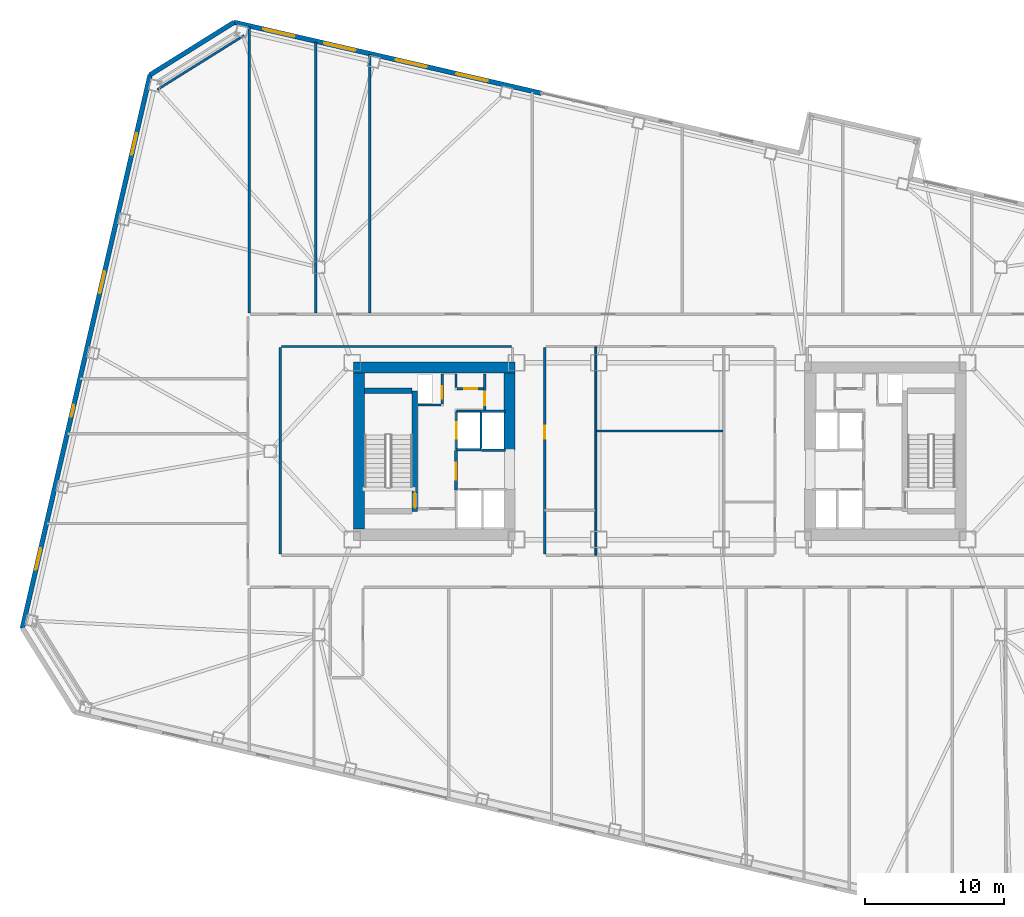
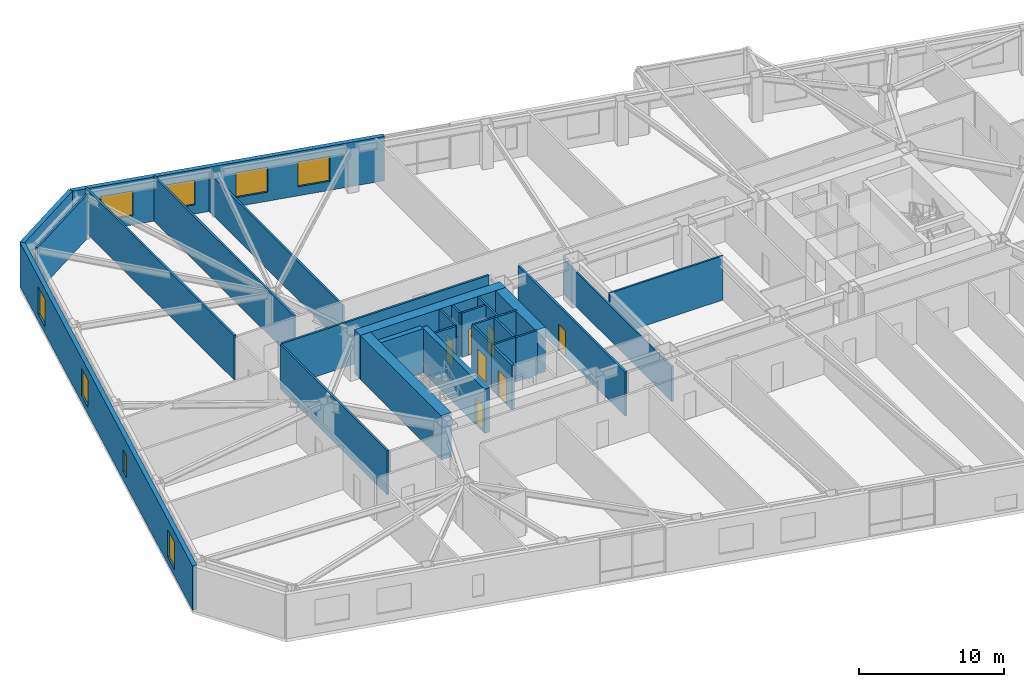
# One storey, part 13 of 21: 29 walls, 8 windows, 7 doors, 15 openings.
"""IFC4 building model written with IfcOpenShell, lengths in metres."""

from ifc_helpers import new_model, si_unit, direction, frame, frame_2d, origin, place, context, subcontext, project, spatial, rectangle, extrude, material, layer, layer_set, type_object, element, fill, save


model = new_model("IFC4")

# Units and contexts
model_context = context("Model", 3, precision=1e-05, world=origin(), true_north=direction((0.0, 1.0)))
body_context = subcontext(model_context, "Body", "Model", "MODEL_VIEW")
ifc_project = project(units=[si_unit("LENGTHUNIT", "METRE"), si_unit("AREAUNIT", "SQUARE_METRE"), si_unit("VOLUMEUNIT", "CUBIC_METRE"), si_unit("PLANEANGLEUNIT", "RADIAN"), si_unit("MASSUNIT", "GRAM", prefix="KILO")], contexts=[model_context])

# Site, building, storey
site_placement = place(None, origin())
site = spatial("IfcSite", under=ifc_project, at=site_placement, CompositionType="ELEMENT")
building_placement = place(site_placement, origin())
building = spatial("IfcBuilding", under=site, at=building_placement, Name="Tavrogorsk Clinical Tower", CompositionType="ELEMENT")
storey_placement = place(building_placement, frame((0.0, 0.0, 71.39990234375)))
storey = spatial("IfcBuildingStorey", under=building, at=storey_placement, Name="L15", CompositionType="ELEMENT", Elevation=71.39990234375)

# Wall, opening, door
ifc_material_1 = material(Name="Concrete B60", Category="concrete")
ifc_layer_1 = layer(ifc_material_1, 0.199951171875)
ifc_layer_set_1 = layer_set([ifc_layer_1], Name="Concrete B60")
wall_type_1 = type_object("IfcWallType", Name="CoreFireWall_200", PredefinedType="SOLIDWALL", material=ifc_layer_set_1)
wall_1_placement = place(storey_placement, frame((-14.639892578125, -2.780029296875, 0.0), z_axis=(0.0, 0.0, 1.0), x_axis=(0.0, 1.0, 0.0)))
wall_1 = element("IfcWall", 1, at=wall_1_placement, inside=storey, type_object=wall_type_1, Name="L15 Core West Firefighting Lobby Fire Wall", PredefinedType="SOLIDWALL", context=body_context, shape_type="SweptSolid", body=[
    extrude(rectangle(XDim=2.820068359375, YDim=0.199951171875, at=frame_2d((1.41015625, 0.0))), origin(), (0.0, 0.0, 1.0), 3.739990234375),
])
opening_1_placement = place(wall_1_placement, frame((0.72998046875, 0.0, 0.0)))
opening_1 = element("IfcOpeningElement", 2, at=opening_1_placement, cuts=wall_1, Name="Opening FD-01", PredefinedType="OPENING", context=body_context, shape_type="SweptSolid", body=[
    extrude(rectangle(XDim=1.199951171875, YDim=2.199951171875, at=frame_2d((0.60009765625, 1.10009765625))), frame((0.0, 0.10986328125, 0.0), z_axis=(0.0, -1.0, 0.0), x_axis=(1.0, 0.0, 0.0)), (0.0, 0.0, 1.0), 0.219970703125),
])
ifc_material_2 = material(Name="Galvanised steel fire-rated door assembly", Category="steel")
door_type_1 = type_object("IfcDoorType", Name="FireDoor_FD01_1200", OperationType="NOTDEFINED", PredefinedType="DOOR", material=ifc_material_2)
door_1_placement = place(opening_1_placement, origin())
door_1 = element("IfcDoor", 3, at=door_1_placement, inside=storey, type_object=door_type_1, Name="L15 Core West Firefighting Lobby Entry Door", OperationType="SINGLE_SWING_LEFT", OverallHeight=2.199951171875, OverallWidth=1.199951171875, PredefinedType="DOOR", context=body_context, shape_type="SweptSolid", body=[
    extrude(rectangle(XDim=1.199951171875, YDim=2.199951171875, at=frame_2d((0.60009765625, 1.10009765625))), frame((0.0, 0.02490234375, 0.0), z_axis=(0.0, -1.0, 0.0), x_axis=(1.0, 0.0, 0.0)), (0.0, 0.0, 1.0), 0.050048828125),
])
fill(opening_1, door_1)

# Walls
ifc_material_3 = material(Name="Lightweight concrete blockwork B15", Category="masonry")
ifc_layer_2 = layer(ifc_material_3, 0.139892578125)
ifc_layer_set_2 = layer_set([ifc_layer_2], Name="Lightweight concrete blockwork B15")
wall_type_2 = type_object("IfcWallType", Name="PartitionWall_140", PredefinedType="PARTITIONING", material=ifc_layer_set_2)
wall_2_placement = place(storey_placement, frame((-4.60009765625, -7.465087890625, 0.0), z_axis=(0.0, 0.0, 1.0), x_axis=(0.0, 1.0, 0.0)))
element("IfcWall", 4, at=wall_2_placement, inside=storey, type_object=wall_type_2, Name="L15 Central Spine Partition 1", PredefinedType="PARTITIONING", context=body_context, shape_type="SweptSolid", body=[
    extrude(rectangle(XDim=14.97998046875, YDim=0.139892578125, at=frame_2d((7.489990234375, 0.0))), origin(), (0.0, 0.0, 1.0), 2.93505859375),
])
wall_3_placement = place(storey_placement, frame((-4.52490234375, 1.449951171875, 0.0), z_axis=(0.0, 0.0, 1.0), x_axis=(1.0, 0.0, 0.0)))
element("IfcWall", 5, at=wall_3_placement, inside=storey, type_object=wall_type_2, Name="L15 Central Spine Partition 3", PredefinedType="PARTITIONING", context=body_context, shape_type="SweptSolid", body=[
    extrude(rectangle(XDim=9.0498046875, YDim=0.139892578125, at=frame_2d((4.52490234375, 0.0))), origin(), (0.0, 0.0, 1.0), 3.739990234375),
])

# Wall, opening, door
ifc_material_4 = material(Name="Lightweight concrete blockwork B15", Category="masonry")
ifc_layer_3 = layer(ifc_material_4, 0.159912109375)
ifc_layer_set_3 = layer_set([ifc_layer_3], Name="Lightweight concrete blockwork B15")
wall_type_3 = type_object("IfcWallType", Name="PartitionWall_160", PredefinedType="PARTITIONING", material=ifc_layer_set_3)
wall_4_placement = place(storey_placement, frame((-12.580078125, 2.9599609375, 0.0), z_axis=(0.0, 0.0, 1.0), x_axis=(0.0, 1.0, 0.0)))
wall_4 = element("IfcWall", 6, at=wall_4_placement, inside=storey, type_object=wall_type_3, Name="L15 Core West Linen Closet Wall", PredefinedType="PARTITIONING", context=body_context, shape_type="SweptSolid", body=[
    extrude(rectangle(XDim=2.60009765625, YDim=0.159912109375, at=frame_2d((1.300048828125, 0.0))), origin(), (0.0, 0.0, 1.0), 3.739990234375),
])
opening_2_placement = place(wall_4_placement, frame((0.35009765625, 0.0, 0.0)))
opening_2 = element("IfcOpeningElement", 7, at=opening_2_placement, cuts=wall_4, Name="Opening ID-02", PredefinedType="OPENING", context=body_context, shape_type="SweptSolid", body=[
    extrude(rectangle(XDim=0.949951171875, YDim=2.199951171875, at=frame_2d((0.47509765625, 1.10009765625))), frame((0.0, 0.08984375, 0.0), z_axis=(0.0, -1.0, 0.0), x_axis=(1.0, 0.0, 0.0)), (0.0, 0.0, 1.0), 0.179931640625),
])
ifc_material_5 = material(Name="Laminated timber leaf on aluminium frame", Category="wood")
door_type_2 = type_object("IfcDoorType", Name="InteriorDoor_ID02_950", OperationType="NOTDEFINED", PredefinedType="DOOR", material=ifc_material_5)
door_2_placement = place(opening_2_placement, origin())
door_2 = element("IfcDoor", 8, at=door_2_placement, inside=storey, type_object=door_type_2, Name="L15 Core West Linen Closet Door", OperationType="SINGLE_SWING_LEFT", OverallHeight=2.199951171875, OverallWidth=0.949951171875, PredefinedType="DOOR", context=body_context, shape_type="SweptSolid", body=[
    extrude(rectangle(XDim=0.949951171875, YDim=2.199951171875, at=frame_2d((0.47509765625, 1.10009765625))), frame((0.0, 0.02490234375, 0.0), z_axis=(0.0, -1.0, 0.0), x_axis=(1.0, 0.0, 0.0)), (0.0, 0.0, 1.0), 0.050048828125),
])
fill(opening_2, door_2)

wall_5_placement = place(storey_placement, frame((-14.554931640625, 4.47998046875, 0.0), z_axis=(0.0, 0.0, 1.0), x_axis=(1.0, 0.0, 0.0)))
wall_5 = element("IfcWall", 9, at=wall_5_placement, inside=storey, type_object=wall_type_3, Name="L15 Core West Housekeeping South Wall", PredefinedType="PARTITIONING", context=body_context, shape_type="SweptSolid", body=[
    extrude(rectangle(XDim=1.889892578125, YDim=0.159912109375, at=frame_2d((0.94482421875, 0.0))), origin(), (0.0, 0.0, 1.0), 3.739990234375),
])
opening_3_placement = place(wall_5_placement, frame((0.5, 0.0, 0.0)))
opening_3 = element("IfcOpeningElement", 10, at=opening_3_placement, cuts=wall_5, Name="Opening ID-02", PredefinedType="OPENING", context=body_context, shape_type="SweptSolid", body=[
    extrude(rectangle(XDim=0.949951171875, YDim=2.199951171875, at=frame_2d((0.47509765625, 1.10009765625))), frame((0.0, 0.08984375, 0.0), z_axis=(0.0, -1.0, 0.0), x_axis=(1.0, 0.0, 0.0)), (0.0, 0.0, 1.0), 0.179931640625),
])
door_3_placement = place(opening_3_placement, origin())
door_3 = element("IfcDoor", 11, at=door_3_placement, inside=storey, type_object=door_type_2, Name="L15 Core West Housekeeping Closet Door", OperationType="SINGLE_SWING_RIGHT", OverallHeight=2.199951171875, OverallWidth=0.949951171875, PredefinedType="DOOR", context=body_context, shape_type="SweptSolid", body=[
    extrude(rectangle(XDim=0.949951171875, YDim=2.199951171875, at=frame_2d((0.47509765625, 1.10009765625))), frame((0.0, 0.02490234375, 0.0), z_axis=(0.0, -1.0, 0.0), x_axis=(1.0, 0.0, 0.0)), (0.0, 0.0, 1.0), 0.050048828125),
])
fill(opening_3, door_3)

# Walls
wall_6_placement = place(storey_placement, frame((-14.639892578125, 4.56494140625, 0.0), z_axis=(0.0, 0.0, 1.0), x_axis=(0.0, 1.0, 0.0)))
element("IfcWall", 12, at=wall_6_placement, inside=storey, type_object=wall_type_3, Name="L15 Core West Housekeeping East Wall", PredefinedType="PARTITIONING", context=body_context, shape_type="SweptSolid", body=[
    extrude(rectangle(XDim=0.9951171875, YDim=0.159912109375, at=frame_2d((0.49755859375, 0.0))), origin(), (0.0, 0.0, 1.0), 3.739990234375),
])
wall_7_placement = place(storey_placement, frame((-29.859619140625, 29.8681640625, 0.0), z_axis=(0.0, 0.0, 1.0), x_axis=(-0.848043064089, -0.529927317139, 0.0)))
element("IfcWall", 13, at=wall_7_placement, inside=storey, type_object=wall_type_3, Name="L15 Corner Exoskeleton Brace Furring Wall 3", PredefinedType="PARTITIONING", context=body_context, shape_type="SweptSolid", body=[
    extrude(rectangle(XDim=7.353759765625, YDim=0.159912109375, at=frame_2d((3.6767578125, 0.0))), origin(), (0.0, 0.0, 1.0), 3.739990234375),
])

# Wall, opening, door
wall_8_placement = place(storey_placement, frame((-8.27001953125, 7.43505859375, 0.0), z_axis=(0.0, 0.0, 1.0), x_axis=(0.0, -1.0, 0.0)))
wall_8 = element("IfcWall", 14, at=wall_8_placement, inside=storey, type_object=wall_type_3, Name="L15 Corridor Partition 15", PredefinedType="PARTITIONING", context=body_context, shape_type="SweptSolid", body=[
    extrude(rectangle(XDim=14.820068359375, YDim=0.159912109375, at=frame_2d((7.41015625, 0.0))), origin(), (0.0, 0.0, 1.0), 3.739990234375),
])
opening_4_placement = place(wall_8_placement, frame((5.60400390625, 0.0, 0.0)))
opening_4 = element("IfcOpeningElement", 15, at=opening_4_placement, cuts=wall_8, Name="Opening ID-02", PredefinedType="OPENING", context=body_context, shape_type="SweptSolid", body=[
    extrude(rectangle(XDim=0.949951171875, YDim=2.199951171875, at=frame_2d((0.47509765625, 1.10009765625))), frame((0.0, 0.08984375, 0.0), z_axis=(0.0, -1.0, 0.0), x_axis=(1.0, 0.0, 0.0)), (0.0, 0.0, 1.0), 0.179931640625),
])
door_4_placement = place(opening_4_placement, origin())
door_4 = element("IfcDoor", 16, at=door_4_placement, inside=storey, type_object=door_type_2, Name="L15 Ward Nourishment Pantry Door", OperationType="SINGLE_SWING_RIGHT", OverallHeight=2.199951171875, OverallWidth=0.949951171875, PredefinedType="DOOR", context=body_context, shape_type="SweptSolid", body=[
    extrude(rectangle(XDim=0.949951171875, YDim=2.199951171875, at=frame_2d((0.47509765625, 1.10009765625))), frame((0.0, 0.02490234375, 0.0), z_axis=(0.0, -1.0, 0.0), x_axis=(1.0, 0.0, 0.0)), (0.0, 0.0, 1.0), 0.050048828125),
])
fill(opening_4, door_4)

# Walls
wall_9_placement = place(storey_placement, frame((-10.6650390625, 7.52001953125, 0.0), z_axis=(0.0, 0.0, 1.0), x_axis=(-1.0, 0.0, 0.0)))
element("IfcWall", 17, at=wall_9_placement, inside=storey, type_object=wall_type_3, Name="L15 Corridor Partition 20", PredefinedType="PARTITIONING", context=body_context, shape_type="SweptSolid", body=[
    extrude(rectangle(XDim=16.52001953125, YDim=0.159912109375, at=frame_2d((8.260009765625, 0.0))), origin(), (0.0, 0.0, 1.0), 3.739990234375),
])
wall_10_placement = place(storey_placement, frame((-27.27001953125, 7.43505859375, 0.0), z_axis=(0.0, 0.0, 1.0), x_axis=(0.0, -1.0, 0.0)))
element("IfcWall", 18, at=wall_10_placement, inside=storey, type_object=wall_type_3, Name="L15 Corridor Partition 21", PredefinedType="PARTITIONING", context=body_context, shape_type="SweptSolid", body=[
    extrude(rectangle(XDim=14.820068359375, YDim=0.159912109375, at=frame_2d((7.41015625, 0.0))), origin(), (0.0, 0.0, 1.0), 3.739990234375),
])
wall_11_placement = place(storey_placement, frame((-29.5, 9.9150390625, 0.0), z_axis=(0.0, 0.0, 1.0), x_axis=(0.0, 1.0, 0.0)))
element("IfcWall", 19, at=wall_11_placement, inside=storey, type_object=wall_type_3, Name="L15 NW Wing Closure Partition", PredefinedType="PARTITIONING", context=body_context, shape_type="SweptSolid", body=[
    extrude(rectangle(XDim=20.568603515625, YDim=0.159912109375, at=frame_2d((10.2841796875, 0.0))), origin(), (0.0, 0.0, 1.0), 3.739990234375),
])
wall_12_placement = place(storey_placement, frame((-20.840087890625, 9.9150390625, 0.0), z_axis=(0.0, 0.0, 1.0), x_axis=(0.0, 1.0, 0.0)))
element("IfcWall", 20, at=wall_12_placement, inside=storey, type_object=wall_type_3, Name="L15 North Room Partition 1", PredefinedType="PARTITIONING", context=body_context, shape_type="SweptSolid", body=[
    extrude(rectangle(XDim=18.5693359375, YDim=0.159912109375, at=frame_2d((9.28466796875, 0.0))), origin(), (0.0, 0.0, 1.0), 3.235107421875),
])
wall_13_placement = place(storey_placement, frame((-24.719970703125, 9.9150390625, 0.0), z_axis=(0.0, 0.0, 1.0), x_axis=(0.0, 1.0, 0.0)))
element("IfcWall", 21, at=wall_13_placement, inside=storey, type_object=wall_type_3, Name="L15 North Sub-Partition 1", PredefinedType="PARTITIONING", context=body_context, shape_type="SweptSolid", body=[
    extrude(rectangle(XDim=19.46484375, YDim=0.159912109375, at=frame_2d((9.732421875, 0.0))), origin(), (0.0, 0.0, 1.0), 3.739990234375),
])

# Wall, openings, windows
ifc_material_6 = material(Name="Precast concrete B45 with limestone cladding", Category="masonry")
ifc_layer_4 = layer(ifc_material_6, 0.340087890625)
ifc_layer_set_4 = layer_set([ifc_layer_4], Name="Precast concrete B45 with limestone cladding")
wall_type_4 = type_object("IfcWallType", Name="PrecastLimestoneWall_340", PredefinedType="STANDARD", material=ifc_layer_set_4)
wall_14_placement = place(storey_placement, frame((-8.5166015625, 25.711181640625, 0.0), z_axis=(0.0, 0.0, 1.0), x_axis=(-0.974372845456, 0.224939009598, 0.0)))
wall_14 = element("IfcWall", 22, at=wall_14_placement, inside=storey, type_object=wall_type_4, Name="L15 N Limestone Facade Wall 3", PredefinedType="STANDARD", context=body_context, shape_type="SweptSolid", body=[
    extrude(rectangle(XDim=22.651611328125, YDim=0.340087890625, at=frame_2d((11.32568359375, 0.0))), origin(), (0.0, 0.0, 1.0), 3.739990234375),
])
opening_5_placement = place(wall_14_placement, frame((18.189208984375, 0.0, 0.77001953125)))
opening_5 = element("IfcOpeningElement", 23, at=opening_5_placement, cuts=wall_14, Name="Opening WN-12", PredefinedType="OPENING", context=body_context, shape_type="SweptSolid", body=[
    extrude(rectangle(XDim=2.300048828125, YDim=2.10009765625, at=frame_2d((1.14990234375, 1.050048828125))), frame((0.0, 0.179931640625, 0.0), z_axis=(0.0, -1.0, 0.0), x_axis=(1.0, 0.0, 0.0)), (0.0, 0.0, 1.0), 0.360107421875),
])
opening_6_placement = place(wall_14_placement, frame((13.704833984375, 0.0, 0.77001953125)))
opening_6 = element("IfcOpeningElement", 24, at=opening_6_placement, cuts=wall_14, Name="Opening WN-12", PredefinedType="OPENING", context=body_context, shape_type="SweptSolid", body=[
    extrude(rectangle(XDim=2.300048828125, YDim=2.10009765625, at=frame_2d((1.14990234375, 1.050048828125))), frame((0.0, 0.179931640625, 0.0), z_axis=(0.0, -1.0, 0.0), x_axis=(1.0, 0.0, 0.0)), (0.0, 0.0, 1.0), 0.360107421875),
])
opening_7_placement = place(wall_14_placement, frame((8.440673828125, 0.0, 0.77001953125)))
opening_7 = element("IfcOpeningElement", 25, at=opening_7_placement, cuts=wall_14, Name="Opening WN-12", PredefinedType="OPENING", context=body_context, shape_type="SweptSolid", body=[
    extrude(rectangle(XDim=2.300048828125, YDim=2.10009765625, at=frame_2d((1.14990234375, 1.050048828125))), frame((0.0, 0.179931640625, 0.0), z_axis=(0.0, -1.0, 0.0), x_axis=(1.0, 0.0, 0.0)), (0.0, 0.0, 1.0), 0.360107421875),
])
opening_8_placement = place(wall_14_placement, frame((3.956298828125, 0.0, 0.77001953125)))
opening_8 = element("IfcOpeningElement", 26, at=opening_8_placement, cuts=wall_14, Name="Opening WN-12", PredefinedType="OPENING", context=body_context, shape_type="SweptSolid", body=[
    extrude(rectangle(XDim=2.300048828125, YDim=2.10009765625, at=frame_2d((1.14990234375, 1.050048828125))), frame((0.0, 0.179931640625, 0.0), z_axis=(0.0, -1.0, 0.0), x_axis=(1.0, 0.0, 0.0)), (0.0, 0.0, 1.0), 0.360107421875),
])
ifc_material_7 = material(Name="Thermally broken aluminium frame and triple IGU", Category="aluminium")
window_type_1 = type_object("IfcWindowType", Name="RecoveryWin_2300x2100", PartitioningType="DOUBLE_PANEL_VERTICAL", PredefinedType="WINDOW", material=ifc_material_7)
window_1_placement = place(opening_5_placement, origin())
window_1 = element("IfcWindow", 27, at=window_1_placement, inside=storey, type_object=window_type_1, Name="L15 N Chicago Window 01", OverallHeight=2.10009765625, OverallWidth=2.300048828125, PartitioningType="SINGLE_PANEL", PredefinedType="WINDOW", context=body_context, shape_type="SweptSolid", body=[
    extrude(rectangle(XDim=2.300048828125, YDim=2.10009765625, at=frame_2d((1.14990234375, 1.050048828125))), frame((0.0, 0.030029296875, 0.0), z_axis=(0.0, -1.0, 0.0), x_axis=(1.0, 0.0, 0.0)), (0.0, 0.0, 1.0), 0.06005859375),
])
fill(opening_5, window_1)
window_2_placement = place(opening_6_placement, origin())
window_2 = element("IfcWindow", 28, at=window_2_placement, inside=storey, type_object=window_type_1, Name="L15 N Chicago Window 02", OverallHeight=2.10009765625, OverallWidth=2.300048828125, PartitioningType="SINGLE_PANEL", PredefinedType="WINDOW", context=body_context, shape_type="SweptSolid", body=[
    extrude(rectangle(XDim=2.300048828125, YDim=2.10009765625, at=frame_2d((1.14990234375, 1.050048828125))), frame((0.0, 0.030029296875, 0.0), z_axis=(0.0, -1.0, 0.0), x_axis=(1.0, 0.0, 0.0)), (0.0, 0.0, 1.0), 0.06005859375),
])
fill(opening_6, window_2)
window_3_placement = place(opening_7_placement, origin())
window_3 = element("IfcWindow", 29, at=window_3_placement, inside=storey, type_object=window_type_1, Name="L15 N Chicago Window 03", OverallHeight=2.10009765625, OverallWidth=2.300048828125, PartitioningType="SINGLE_PANEL", PredefinedType="WINDOW", context=body_context, shape_type="SweptSolid", body=[
    extrude(rectangle(XDim=2.300048828125, YDim=2.10009765625, at=frame_2d((1.14990234375, 1.050048828125))), frame((0.0, 0.030029296875, 0.0), z_axis=(0.0, -1.0, 0.0), x_axis=(1.0, 0.0, 0.0)), (0.0, 0.0, 1.0), 0.06005859375),
])
fill(opening_7, window_3)
window_4_placement = place(opening_8_placement, origin())
window_4 = element("IfcWindow", 30, at=window_4_placement, inside=storey, type_object=window_type_1, Name="L15 N Chicago Window 04", OverallHeight=2.10009765625, OverallWidth=2.300048828125, PartitioningType="SINGLE_PANEL", PredefinedType="WINDOW", context=body_context, shape_type="SweptSolid", body=[
    extrude(rectangle(XDim=2.300048828125, YDim=2.10009765625, at=frame_2d((1.14990234375, 1.050048828125))), frame((0.0, 0.030029296875, 0.0), z_axis=(0.0, -1.0, 0.0), x_axis=(1.0, 0.0, 0.0)), (0.0, 0.0, 1.0), 0.06005859375),
])
fill(opening_8, window_4)

wall_15_placement = place(storey_placement, frame((-36.6201171875, 27.036865234375, 0.0), z_axis=(0.0, 0.0, 1.0), x_axis=(-0.224951280646, -0.974370012539, 0.0)))
wall_15 = element("IfcWall", 31, at=wall_15_placement, inside=storey, type_object=wall_type_4, Name="L15 W Pleated Limestone Wing Wall", PredefinedType="STANDARD", context=body_context, shape_type="SweptSolid", body=[
    extrude(rectangle(XDim=40.7998046875, YDim=0.340087890625, at=frame_2d((20.39990234375, 0.0))), origin(), (0.0, 0.0, 1.0), 3.739990234375),
])
opening_9_placement = place(wall_15_placement, frame((4.300048828125, 0.0, 0.580078125)))
opening_9 = element("IfcOpeningElement", 32, at=opening_9_placement, cuts=wall_15, Name="Opening WN-07", PredefinedType="OPENING", context=body_context, shape_type="SweptSolid", body=[
    extrude(rectangle(XDim=1.60009765625, YDim=2.300048828125, at=frame_2d((0.800048828125, 1.14990234375))), frame((0.0, 0.179931640625, 0.0), z_axis=(0.0, -1.0, 0.0), x_axis=(1.0, 0.0, 0.0)), (0.0, 0.0, 1.0), 0.360107421875),
])
opening_10_placement = place(wall_15_placement, frame((14.5, 0.0, 0.580078125)))
opening_10 = element("IfcOpeningElement", 33, at=opening_10_placement, cuts=wall_15, Name="Opening WN-07", PredefinedType="OPENING", context=body_context, shape_type="SweptSolid", body=[
    extrude(rectangle(XDim=1.60009765625, YDim=2.300048828125, at=frame_2d((0.800048828125, 1.14990234375))), frame((0.0, 0.179931640625, 0.0), z_axis=(0.0, -1.0, 0.0), x_axis=(1.0, 0.0, 0.0)), (0.0, 0.0, 1.0), 0.360107421875),
])
opening_11_placement = place(wall_15_placement, frame((24.35009765625, 0.0, 0.75)))
opening_11 = element("IfcOpeningElement", 34, at=opening_11_placement, cuts=wall_15, Name="Opening WN-06", PredefinedType="OPENING", context=body_context, shape_type="SweptSolid", body=[
    extrude(rectangle(XDim=0.85009765625, YDim=1.85009765625, at=frame_2d((0.425048828125, 0.925048828125))), frame((0.0, 0.179931640625, 0.0), z_axis=(0.0, -1.0, 0.0), x_axis=(1.0, 0.0, 0.0)), (0.0, 0.0, 1.0), 0.360107421875),
])
opening_12_placement = place(wall_15_placement, frame((34.89990234375, 0.0, 0.580078125)))
opening_12 = element("IfcOpeningElement", 35, at=opening_12_placement, cuts=wall_15, Name="Opening WN-07", PredefinedType="OPENING", context=body_context, shape_type="SweptSolid", body=[
    extrude(rectangle(XDim=1.60009765625, YDim=2.300048828125, at=frame_2d((0.800048828125, 1.14990234375))), frame((0.0, 0.179931640625, 0.0), z_axis=(0.0, -1.0, 0.0), x_axis=(1.0, 0.0, 0.0)), (0.0, 0.0, 1.0), 0.360107421875),
])
ifc_material_8 = material(Name="Thermally broken aluminium frame and triple IGU", Category="aluminium")
window_type_2 = type_object("IfcWindowType", Name="MullionSubWin_850x1850", PartitioningType="SINGLE_PANEL", PredefinedType="WINDOW", material=ifc_material_8)
window_5_placement = place(opening_11_placement, origin())
window_5 = element("IfcWindow", 36, at=window_5_placement, inside=storey, type_object=window_type_2, Name="L15 W Pleat Mullion Window 3A", OverallHeight=1.85009765625, OverallWidth=0.85009765625, PartitioningType="SINGLE_PANEL", PredefinedType="WINDOW", context=body_context, shape_type="SweptSolid", body=[
    extrude(rectangle(XDim=0.85009765625, YDim=1.85009765625, at=frame_2d((0.425048828125, 0.925048828125))), frame((0.0, 0.030029296875, 0.0), z_axis=(0.0, -1.0, 0.0), x_axis=(1.0, 0.0, 0.0)), (0.0, 0.0, 1.0), 0.06005859375),
])
fill(opening_11, window_5)
ifc_material_9 = material(Name="Thermally broken aluminium frame and triple IGU", Category="aluminium")
window_type_3 = type_object("IfcWindowType", Name="PleatSlotWin_1600x2300", PartitioningType="SINGLE_PANEL", PredefinedType="WINDOW", material=ifc_material_9)
window_6_placement = place(opening_9_placement, origin())
window_6 = element("IfcWindow", 37, at=window_6_placement, inside=storey, type_object=window_type_3, Name="L15 W Pleat Slot Window 1", OverallHeight=2.300048828125, OverallWidth=1.60009765625, PartitioningType="SINGLE_PANEL", PredefinedType="WINDOW", context=body_context, shape_type="SweptSolid", body=[
    extrude(rectangle(XDim=1.60009765625, YDim=2.300048828125, at=frame_2d((0.800048828125, 1.14990234375))), frame((0.0, 0.030029296875, 0.0), z_axis=(0.0, -1.0, 0.0), x_axis=(1.0, 0.0, 0.0)), (0.0, 0.0, 1.0), 0.06005859375),
])
fill(opening_9, window_6)
window_7_placement = place(opening_10_placement, origin())
window_7 = element("IfcWindow", 38, at=window_7_placement, inside=storey, type_object=window_type_3, Name="L15 W Pleat Slot Window 2", OverallHeight=2.300048828125, OverallWidth=1.60009765625, PartitioningType="SINGLE_PANEL", PredefinedType="WINDOW", context=body_context, shape_type="SweptSolid", body=[
    extrude(rectangle(XDim=1.60009765625, YDim=2.300048828125, at=frame_2d((0.800048828125, 1.14990234375))), frame((0.0, 0.030029296875, 0.0), z_axis=(0.0, -1.0, 0.0), x_axis=(1.0, 0.0, 0.0)), (0.0, 0.0, 1.0), 0.06005859375),
])
fill(opening_10, window_7)
window_8_placement = place(opening_12_placement, origin())
window_8 = element("IfcWindow", 39, at=window_8_placement, inside=storey, type_object=window_type_3, Name="L15 W Pleat Slot Window 4", OverallHeight=2.300048828125, OverallWidth=1.60009765625, PartitioningType="SINGLE_PANEL", PredefinedType="WINDOW", context=body_context, shape_type="SweptSolid", body=[
    extrude(rectangle(XDim=1.60009765625, YDim=2.300048828125, at=frame_2d((0.800048828125, 1.14990234375))), frame((0.0, 0.030029296875, 0.0), z_axis=(0.0, -1.0, 0.0), x_axis=(1.0, 0.0, 0.0)), (0.0, 0.0, 1.0), 0.06005859375),
])
fill(opening_12, window_8)

# Wall
wall_16_placement = place(storey_placement, frame((-30.587646484375, 30.806640625, 0.0), z_axis=(0.0, 0.0, 1.0), x_axis=(-0.848031080615, -0.529946493819, 0.0)))
element("IfcWall", 40, at=wall_16_placement, inside=storey, type_object=wall_type_4, Name="L15 Chamfered Corner Wall 3", PredefinedType="STANDARD", context=body_context, shape_type="SweptSolid", body=[
    extrude(rectangle(XDim=7.113525390625, YDim=0.340087890625, at=frame_2d((3.556640625, 0.0))), origin(), (0.0, 0.0, 1.0), 3.739990234375),
])

# Wall, opening, door
ifc_material_10 = material(Name="Lightweight concrete blockwork B25", Category="masonry")
ifc_layer_5 = layer(ifc_material_10, 0.159912109375)
ifc_layer_set_5 = layer_set([ifc_layer_5], Name="Lightweight concrete blockwork B25")
wall_type_5 = type_object("IfcWallType", Name="ShaftWall_160", PredefinedType="PARTITIONING", material=ifc_layer_set_5)
wall_17_placement = place(storey_placement, frame((-14.60009765625, 0.1201171875, 0.0), z_axis=(0.0, 0.0, 1.0), x_axis=(0.0, 1.0, 0.0)))
wall_17 = element("IfcWall", 41, at=wall_17_placement, inside=storey, type_object=wall_type_5, Name="L15 FFL-W Firefighting Lift Front Wall", PredefinedType="PARTITIONING", context=body_context, shape_type="SweptSolid", body=[
    extrude(rectangle(XDim=2.739990234375, YDim=0.159912109375, at=frame_2d((1.3701171875, 0.0))), origin(), (0.0, 0.0, 1.0), 3.739990234375),
])
opening_13_placement = place(wall_17_placement, frame((0.77001953125, 0.0, 0.0)))
opening_13 = element("IfcOpeningElement", 42, at=opening_13_placement, cuts=wall_17, Name="Opening LD", PredefinedType="OPENING", context=body_context, shape_type="SweptSolid", body=[
    extrude(rectangle(XDim=1.199951171875, YDim=2.199951171875, at=frame_2d((0.60009765625, 1.10009765625))), frame((0.0, 0.08984375, 0.0), z_axis=(0.0, -1.0, 0.0), x_axis=(1.0, 0.0, 0.0)), (0.0, 0.0, 1.0), 0.179931640625),
])
ifc_material_11 = material(Name="Brushed stainless steel AISI 304 sliding doors", Category="steel")
door_type_3 = type_object("IfcDoorType", Name="LiftLandingDoor_LD_1200", OperationType="SLIDING_TO_LEFT", PredefinedType="DOOR", material=ifc_material_11)
door_5_placement = place(opening_13_placement, origin())
door_5 = element("IfcDoor", 43, at=door_5_placement, inside=storey, type_object=door_type_3, Name="L15 FFL-W Sliding Lift Landing Door", OperationType="SLIDING_TO_LEFT", OverallHeight=2.199951171875, OverallWidth=1.199951171875, PredefinedType="DOOR", context=body_context, shape_type="SweptSolid", body=[
    extrude(rectangle(XDim=1.199951171875, YDim=2.199951171875, at=frame_2d((0.60009765625, 1.10009765625))), frame((0.0, 0.02490234375, 0.0), z_axis=(0.0, -1.0, 0.0), x_axis=(1.0, 0.0, 0.0)), (0.0, 0.0, 1.0), 0.050048828125),
])
fill(opening_13, door_5)

# Walls
for number, where, z_axis, x_axis, name in (
    (44, (-14.60009765625, 0.10009765625, 0.0), (0.0, 0.0, 1.0), (1.0, 0.0, 0.0), "L15 FFL-W Shaft South Wall"),
    (45, (-14.60009765625, 2.8798828125, 0.0), (0.0, 0.0, 1.0), (1.0, 0.0, 0.0), "L15 FFL-W Shaft North Wall"),
):
    element("IfcWall", number, at=place(storey_placement, frame(where, z_axis=z_axis, x_axis=x_axis)), inside=storey, type_object=wall_type_5, Name=name, PredefinedType="PARTITIONING", context=body_context, shape_type="SweptSolid", body=[
        extrude(rectangle(XDim=1.760009765625, YDim=0.159912109375, at=frame_2d((0.8798828125, 0.0))), origin(), (0.0, 0.0, 1.0), 3.739990234375),
    ])
wall_18_placement = place(storey_placement, frame((-12.840087890625, 0.179931640625, 0.0), z_axis=(0.0, 0.0, 1.0), x_axis=(0.0, 1.0, 0.0)))
element("IfcWall", 46, at=wall_18_placement, inside=storey, type_object=wall_type_5, Name="L15 FFL-W Shaft Back Wall", PredefinedType="PARTITIONING", context=body_context, shape_type="SweptSolid", body=[
    extrude(rectangle(XDim=2.6201171875, YDim=0.159912109375, at=frame_2d((1.31005859375, 0.0))), origin(), (0.0, 0.0, 1.0), 3.739990234375),
])
for number, where, z_axis, x_axis, name in (
    (47, (-12.820068359375, 0.06005859375, 0.0), (0.0, 0.0, 1.0), (1.0, 0.0, 0.0), "L15 LP-H1 High-Zone Lift Portal Wall"),
    (48, (-12.820068359375, 2.860107421875, 0.0), (0.0, 0.0, 1.0), (1.0, 0.0, 0.0), "L15 LP-H1 High-Zone Lift Rear Wall"),
):
    element("IfcWall", number, at=place(storey_placement, frame(where, z_axis=z_axis, x_axis=x_axis)), inside=storey, type_object=wall_type_5, Name=name, PredefinedType="PARTITIONING", context=body_context, shape_type="SweptSolid", body=[
        extrude(rectangle(XDim=1.719970703125, YDim=0.159912109375, at=frame_2d((0.85986328125, 0.0))), origin(), (0.0, 0.0, 1.0), 3.739990234375),
    ])

# Wall, opening, door
wall_19_placement = place(storey_placement, frame((-15.639892578125, 3.405029296875, 0.0), z_axis=(0.0, 0.0, 1.0), x_axis=(0.0, 1.0, 0.0)))
wall_19 = element("IfcWall", 49, at=wall_19_placement, inside=storey, type_object=wall_type_5, Name="L15 Core West Riser West Wall", PredefinedType="PARTITIONING", context=body_context, shape_type="SweptSolid", body=[
    extrude(rectangle(XDim=2.155029296875, YDim=0.159912109375, at=frame_2d((1.07763671875, 0.0))), origin(), (0.0, 0.0, 1.0), 3.739990234375),
])
opening_14_placement = place(wall_19_placement, frame((0.35009765625, 0.0, 0.0)))
opening_14 = element("IfcOpeningElement", 50, at=opening_14_placement, cuts=wall_19, Name="Opening FD-02", PredefinedType="OPENING", context=body_context, shape_type="SweptSolid", body=[
    extrude(rectangle(XDim=0.89990234375, YDim=2.199951171875, at=frame_2d((0.449951171875, 1.10009765625))), frame((0.0, 0.08984375, 0.0), z_axis=(0.0, -1.0, 0.0), x_axis=(1.0, 0.0, 0.0)), (0.0, 0.0, 1.0), 0.179931640625),
])
ifc_material_12 = material(Name="Galvanised steel fire-rated door assembly", Category="steel")
door_type_4 = type_object("IfcDoorType", Name="FireDoor_FD02_900", OperationType="NOTDEFINED", PredefinedType="DOOR", material=ifc_material_12)
door_6_placement = place(opening_14_placement, origin())
door_6 = element("IfcDoor", 51, at=door_6_placement, inside=storey, type_object=door_type_4, Name="L15 Core West Electrical Riser Access Door", OperationType="SINGLE_SWING_LEFT", OverallHeight=2.199951171875, OverallWidth=0.89990234375, PredefinedType="DOOR", context=body_context, shape_type="SweptSolid", body=[
    extrude(rectangle(XDim=0.89990234375, YDim=2.199951171875, at=frame_2d((0.449951171875, 1.10009765625))), frame((0.0, 0.02490234375, 0.0), z_axis=(0.0, -1.0, 0.0), x_axis=(1.0, 0.0, 0.0)), (0.0, 0.0, 1.0), 0.050048828125),
])
fill(opening_14, door_6)

# Wall
wall_20_placement = place(storey_placement, frame((-17.3798828125, 3.320068359375, 0.0), z_axis=(0.0, 0.0, 1.0), x_axis=(1.0, 0.0, 0.0)))
element("IfcWall", 52, at=wall_20_placement, inside=storey, type_object=wall_type_5, Name="L15 Core West Riser South Wall", PredefinedType="PARTITIONING", context=body_context, shape_type="SweptSolid", body=[
    extrude(rectangle(XDim=1.65478515625, YDim=0.159912109375, at=frame_2d((0.827392578125, 0.0))), origin(), (0.0, 0.0, 1.0), 3.739990234375),
])

# Wall, opening, door
ifc_material_13 = material(Name="Concrete B80", Category="concrete")
ifc_layer_6 = layer(ifc_material_13, 0.39990234375)
ifc_layer_set_6 = layer_set([ifc_layer_6], Name="Concrete B80")
wall_type_6 = type_object("IfcWallType", Name="ShearWall_400", PredefinedType="SHEAR", material=ifc_layer_set_6)
wall_21_placement = place(storey_placement, frame((-17.60009765625, -4.324951171875, 0.0), z_axis=(0.0, 0.0, 1.0), x_axis=(0.0, 1.0, 0.0)))
wall_21 = element("IfcWall", 53, at=wall_21_placement, inside=storey, type_object=wall_type_6, Name="L15 Core West Stair Shaft Inner Shear Wall", PredefinedType="SHEAR", context=body_context, shape_type="SweptSolid", body=[
    extrude(rectangle(XDim=8.64990234375, YDim=0.39990234375, at=frame_2d((4.324951171875, 0.0))), origin(), (0.0, 0.0, 1.0), 3.739990234375),
])
opening_15_placement = place(wall_21_placement, frame((0.25, 0.0, 0.0)))
opening_15 = element("IfcOpeningElement", 54, at=opening_15_placement, cuts=wall_21, Name="Opening SD-01", PredefinedType="OPENING", context=body_context, shape_type="SweptSolid", body=[
    extrude(rectangle(XDim=1.10009765625, YDim=2.199951171875, at=frame_2d((0.550048828125, 1.10009765625))), frame((0.0, 0.2099609375, 0.0), z_axis=(0.0, -1.0, 0.0), x_axis=(1.0, 0.0, 0.0)), (0.0, 0.0, 1.0), 0.419921875),
])
ifc_material_14 = material(Name="Galvanised steel smoke-tight fire door assembly", Category="steel")
door_type_5 = type_object("IfcDoorType", Name="StairFireDoor_SD01_1100", OperationType="NOTDEFINED", PredefinedType="DOOR", material=ifc_material_14)
door_7_placement = place(opening_15_placement, origin())
door_7 = element("IfcDoor", 55, at=door_7_placement, inside=storey, type_object=door_type_5, Name="L15 ST-W Exit Stair Door", OperationType="SINGLE_SWING_RIGHT", OverallHeight=2.199951171875, OverallWidth=1.10009765625, PredefinedType="DOOR", context=body_context, shape_type="SweptSolid", body=[
    extrude(rectangle(XDim=1.10009765625, YDim=2.199951171875, at=frame_2d((0.550048828125, 1.10009765625))), frame((0.0, 0.02490234375, 0.0), z_axis=(0.0, -1.0, 0.0), x_axis=(1.0, 0.0, 0.0)), (0.0, 0.0, 1.0), 0.050048828125),
])
fill(opening_15, door_7)

# Walls
wall_22_placement = place(storey_placement, frame((-21.199951171875, 4.324951171875, 0.0), z_axis=(0.0, 0.0, 1.0), x_axis=(1.0, 0.0, 0.0)))
element("IfcWall", 56, at=wall_22_placement, inside=storey, type_object=wall_type_6, Name="L15 Core West Stair Shaft North Shear Wall", PredefinedType="SHEAR", context=body_context, shape_type="SweptSolid", body=[
    extrude(rectangle(XDim=3.39990234375, YDim=0.39990234375, at=frame_2d((1.699951171875, 0.0))), origin(), (0.0, 0.0, 1.0), 3.739990234375),
])
ifc_material_15 = material(Name="Concrete B80", Category="concrete")
ifc_layer_7 = layer(ifc_material_15, 0.800048828125)
ifc_layer_set_7 = layer_set([ifc_layer_7], Name="Concrete B80")
wall_type_7 = type_object("IfcWallType", Name="ShearWall_800", PredefinedType="SHEAR", material=ifc_layer_set_7)
wall_23_placement = place(storey_placement, frame((-22.0, 6.0, 0.0), z_axis=(0.0, 0.0, 1.0), x_axis=(1.0, 0.0, 0.0)))
element("IfcWall", 57, at=wall_23_placement, inside=storey, type_object=wall_type_7, Name="L15 Core West North Shear Wall", PredefinedType="SHEAR", context=body_context, shape_type="SweptSolid", body=[
    extrude(rectangle(XDim=11.60009765625, YDim=0.800048828125, at=frame_2d((5.800048828125, 0.0))), origin(), (0.0, 0.0, 1.0), 3.739990234375),
])
wall_24_placement = place(storey_placement, frame((-21.60009765625, -5.60009765625, 0.0), z_axis=(0.0, 0.0, 1.0), x_axis=(0.0, 1.0, 0.0)))
element("IfcWall", 58, at=wall_24_placement, inside=storey, type_object=wall_type_7, Name="L15 Core West End Shear Wall", PredefinedType="SHEAR", context=body_context, shape_type="SweptSolid", body=[
    extrude(rectangle(XDim=11.2001953125, YDim=0.800048828125, at=frame_2d((5.60009765625, 0.0))), origin(), (0.0, 0.0, 1.0), 3.739990234375),
])
wall_25_placement = place(storey_placement, frame((-10.800048828125, 0.050048828125, 0.0), z_axis=(0.0, 0.0, 1.0), x_axis=(0.0, 1.0, 0.0)))
element("IfcWall", 59, at=wall_25_placement, inside=storey, type_object=wall_type_7, Name="L15 Core West Inner North Pier", PredefinedType="SHEAR", context=body_context, shape_type="SweptSolid", body=[
    extrude(rectangle(XDim=5.550048828125, YDim=0.800048828125, at=frame_2d((2.77490234375, 0.0))), origin(), (0.0, 0.0, 1.0), 3.739990234375),
])

save(model, "model.ifc")
